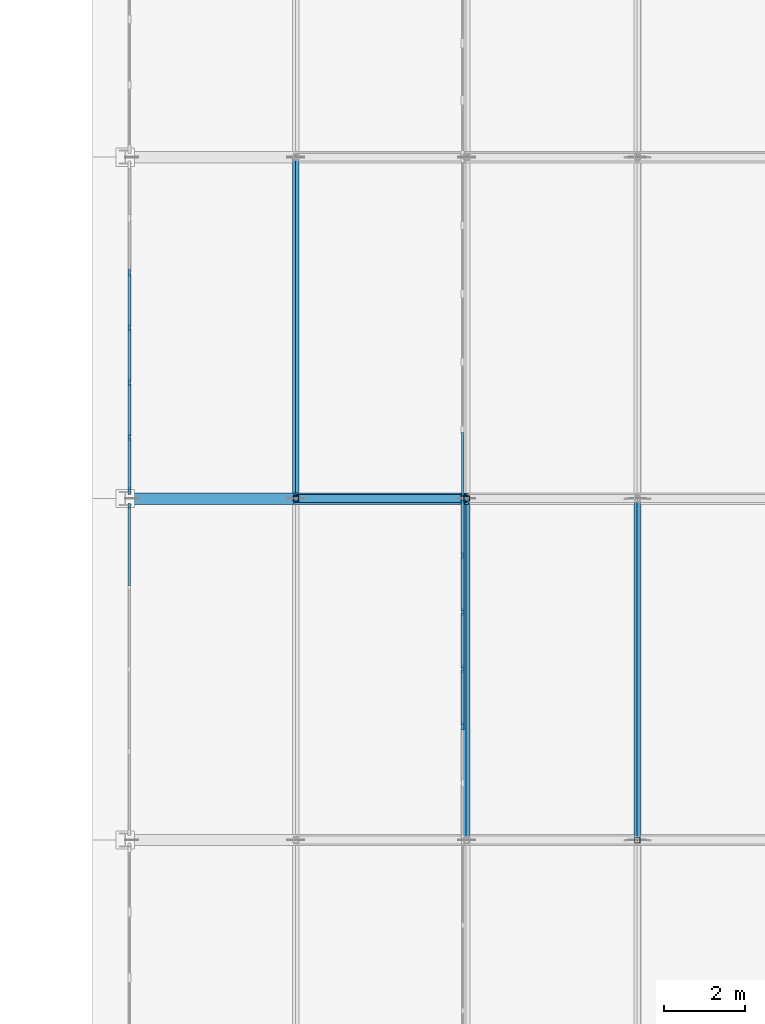
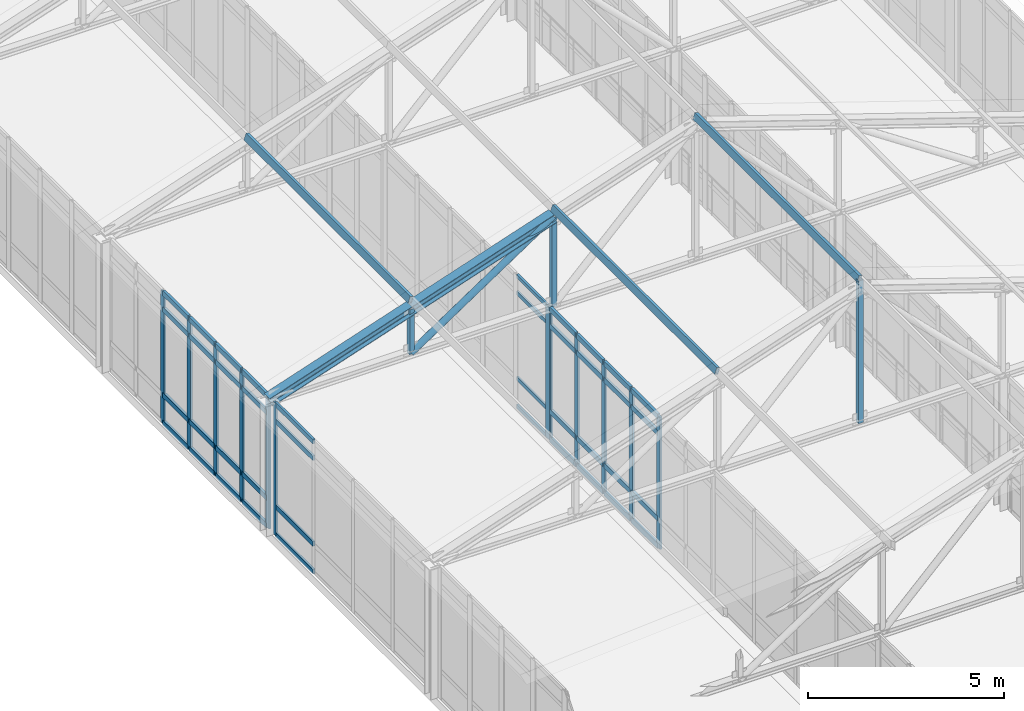
# One storey, part 46 of 192: 61 members, 4 elements without a shape of their own.
"""IFC4 building model written with IfcOpenShell, lengths in metres."""

from ifc_helpers import new_model, si_unit, direction, frame, origin, origin_2d, place, context, subcontext, project, spatial, rectangle, hollow_rectangle, hollow_circle, i_section, extrude, material, layer, layer_set, material_profile, profile_set, type_object, element, aggregate, save


model = new_model("IFC4")

# Units and contexts
model_context = context("Model", 3, precision=1e-05, world=origin(), true_north=direction((0.0, 1.0)))
body_context = subcontext(model_context, "Body", "Model", "MODEL_VIEW")
ifc_project = project(units=[si_unit("LENGTHUNIT", "METRE"), si_unit("AREAUNIT", "SQUARE_METRE"), si_unit("VOLUMEUNIT", "CUBIC_METRE"), si_unit("PLANEANGLEUNIT", "RADIAN"), si_unit("MASSUNIT", "GRAM", prefix="KILO")], contexts=[model_context])

# Site, building, storey
site_placement = place(None, origin())
site = spatial("IfcSite", under=ifc_project, at=site_placement, CompositionType="ELEMENT")
building_placement = place(site_placement, origin())
building = spatial("IfcBuilding", under=site, at=building_placement, Name="Kveldsbrygga Polytechnic", CompositionType="ELEMENT")
storey_placement = place(building_placement, frame((0.0, 0.0, 5.43994140625)))
storey = spatial("IfcBuildingStorey", under=building, at=storey_placement, Name="L01", CompositionType="ELEMENT", Elevation=5.43994140625)

# Curtain wall, member
ifc_material_1 = material(Name="Anodised aluminium AW-6060", Category="aluminium")
ifc_layer_1 = layer(ifc_material_1, 0.199951171875)
ifc_layer_set_1 = layer_set([ifc_layer_1], Name="Anodised aluminium AW-6060")
curtain_wall_type_1 = type_object("IfcCurtainWallType", Name="CW-LANC-E", PredefinedType="USERDEFINED", material=ifc_layer_set_1)
curtain_wall_1_placement = place(storey_placement, origin())
curtain_wall_1 = element("IfcCurtainWall", 1, at=curtain_wall_1_placement, inside=storey, type_object=curtain_wall_type_1, Name="Curtain Wall CW-L01-Y-06-04", ObjectType="UNITISED CURTAIN WALL", PredefinedType="USERDEFINED")
ifc_material_profile_1 = material_profile(ifc_material_1, rectangle(XDim=0.06005859375, YDim=0.139892578125, at=origin_2d()), Name="ALU 60x140")
ifc_profile_set_1 = profile_set([ifc_material_profile_1], Name="Anodised aluminium AW-6060")
member_type_1 = type_object("IfcMemberType", Name="CW-MUL-140", PredefinedType="MULLION", material=ifc_profile_set_1)
member_1_placement = place(storey_placement, frame((50.5, 41.81494140625, 0.0), z_axis=(0.0, 0.0, 1.0), x_axis=(-1.0, 0.0, 0.0)))
member_1 = element("IfcMember", 2, at=member_1_placement, type_object=member_type_1, Name="CW-05 mullion 5", PredefinedType="MULLION", context=body_context, shape_type="SweptSolid", body=[
    extrude(rectangle(XDim=0.06005859375, YDim=0.139892578125, at=origin_2d()), origin(), (0.0, 0.0, 1.0), 4.1201171875),
])

# Curtain wall, members
ifc_layer_2 = layer(ifc_material_1, 0.169921875)
ifc_layer_set_2 = layer_set([ifc_layer_2], Name="Anodised aluminium AW-6060")
curtain_wall_type_2 = type_object("IfcCurtainWallType", Name="CW-FOYR-F", PredefinedType="USERDEFINED", material=ifc_layer_set_2)
curtain_wall_2_placement = place(storey_placement, origin())
curtain_wall_2 = element("IfcCurtainWall", 3, at=curtain_wall_2_placement, inside=storey, type_object=curtain_wall_type_2, Name="Curtain Wall CW-L01-Y-07-04", ObjectType="STICK CURTAIN WALL", PredefinedType="USERDEFINED")
ifc_material_profile_2 = material_profile(ifc_material_1, rectangle(XDim=0.06005859375, YDim=0.179931640625, at=origin_2d()), Name="ALU 60x180")
ifc_profile_set_2 = profile_set([ifc_material_profile_2], Name="Anodised aluminium AW-6060")
member_type_2 = type_object("IfcMemberType", Name="CW-MUL-180", PredefinedType="MULLION", material=ifc_profile_set_2)
member_2_placement = place(storey_placement, frame((58.699951171875, 36.39990234375, 0.0), z_axis=(0.0, 0.0, 1.0), x_axis=(-1.0, 0.0, 0.0)))
member_2 = element("IfcMember", 4, at=member_2_placement, type_object=member_type_2, Name="CW-06 mullion 3", PredefinedType="MULLION", context=body_context, shape_type="SweptSolid", body=[
    extrude(rectangle(XDim=0.06005859375, YDim=0.179931640625, at=origin_2d()), origin(), (0.0, 0.0, 1.0), 4.1201171875),
])
member_3_placement = place(storey_placement, frame((58.699951171875, 37.800048828125, 0.0), z_axis=(0.0, 0.0, 1.0), x_axis=(-1.0, 0.0, 0.0)))
member_3 = element("IfcMember", 5, at=member_3_placement, type_object=member_type_2, Name="CW-06 mullion 4", PredefinedType="MULLION", context=body_context, shape_type="SweptSolid", body=[
    extrude(rectangle(XDim=0.06005859375, YDim=0.179931640625, at=origin_2d()), origin(), (0.0, 0.0, 1.0), 4.1201171875),
])
member_4_placement = place(storey_placement, frame((58.699951171875, 39.199951171875, 0.0), z_axis=(0.0, 0.0, 1.0), x_axis=(-1.0, 0.0, 0.0)))
member_4 = element("IfcMember", 6, at=member_4_placement, type_object=member_type_2, Name="CW-06 mullion 5", PredefinedType="MULLION", context=body_context, shape_type="SweptSolid", body=[
    extrude(rectangle(XDim=0.06005859375, YDim=0.179931640625, at=origin_2d()), origin(), (0.0, 0.0, 1.0), 4.1201171875),
])
member_5_placement = place(storey_placement, frame((58.699951171875, 40.60009765625, 0.0), z_axis=(0.0, 0.0, 1.0), x_axis=(-1.0, 0.0, 0.0)))
member_5 = element("IfcMember", 7, at=member_5_placement, type_object=member_type_2, Name="CW-06 mullion 6", PredefinedType="MULLION", context=body_context, shape_type="SweptSolid", body=[
    extrude(rectangle(XDim=0.06005859375, YDim=0.179931640625, at=origin_2d()), origin(), (0.0, 0.0, 1.0), 4.1201171875),
])
member_6_placement = place(storey_placement, frame((58.699951171875, 41.969970703125, 0.0), z_axis=(0.0, 0.0, 1.0), x_axis=(-1.0, 0.0, 0.0)))
member_6 = element("IfcMember", 8, at=member_6_placement, type_object=member_type_2, Name="CW-06 mullion 7", PredefinedType="MULLION", context=body_context, shape_type="SweptSolid", body=[
    extrude(rectangle(XDim=0.06005859375, YDim=0.179931640625, at=origin_2d()), origin(), (0.0, 0.0, 1.0), 4.1201171875),
])

curtain_wall_3_placement = place(storey_placement, origin())
curtain_wall_3 = element("IfcCurtainWall", 9, at=curtain_wall_3_placement, inside=storey, type_object=curtain_wall_type_2, Name="Curtain Wall CW-L01-Y-06-05", ObjectType="STICK CURTAIN WALL", PredefinedType="USERDEFINED")
member_7_placement = place(storey_placement, frame((50.5, 42.18505859375, 0.0), z_axis=(0.0, 0.0, 1.0), x_axis=(-1.0, 0.0, 0.0)))
member_7 = element("IfcMember", 10, at=member_7_placement, type_object=member_type_2, Name="CW-06 mullion 1", PredefinedType="MULLION", context=body_context, shape_type="SweptSolid", body=[
    extrude(rectangle(XDim=0.06005859375, YDim=0.179931640625, at=origin_2d()), origin(), (0.0, 0.0, 1.0), 4.1201171875),
])
member_8_placement = place(storey_placement, frame((50.5, 43.50341796875, 0.0), z_axis=(0.0, 0.0, 1.0), x_axis=(-1.0, 0.0, 0.0)))
member_8 = element("IfcMember", 11, at=member_8_placement, type_object=member_type_2, Name="CW-06 mullion 2", PredefinedType="MULLION", context=body_context, shape_type="SweptSolid", body=[
    extrude(rectangle(XDim=0.06005859375, YDim=0.179931640625, at=origin_2d()), origin(), (0.0, 0.0, 1.0), 4.1201171875),
])
member_9_placement = place(storey_placement, frame((50.5, 44.8515625, 0.0), z_axis=(0.0, 0.0, 1.0), x_axis=(-1.0, 0.0, 0.0)))
member_9 = element("IfcMember", 12, at=member_9_placement, type_object=member_type_2, Name="CW-06 mullion 3", PredefinedType="MULLION", context=body_context, shape_type="SweptSolid", body=[
    extrude(rectangle(XDim=0.06005859375, YDim=0.179931640625, at=origin_2d()), origin(), (0.0, 0.0, 1.0), 4.1201171875),
])
member_10_placement = place(storey_placement, frame((50.5, 46.199951171875, 0.0), z_axis=(0.0, 0.0, 1.0), x_axis=(-1.0, 0.0, 0.0)))
member_10 = element("IfcMember", 13, at=member_10_placement, type_object=member_type_2, Name="CW-06 mullion 4", PredefinedType="MULLION", context=body_context, shape_type="SweptSolid", body=[
    extrude(rectangle(XDim=0.06005859375, YDim=0.179931640625, at=origin_2d()), origin(), (0.0, 0.0, 1.0), 4.1201171875),
])
member_11_placement = place(storey_placement, frame((50.5, 47.54833984375, 0.0), z_axis=(0.0, 0.0, 1.0), x_axis=(-1.0, 0.0, 0.0)))
member_11 = element("IfcMember", 14, at=member_11_placement, type_object=member_type_2, Name="CW-06 mullion 5", PredefinedType="MULLION", context=body_context, shape_type="SweptSolid", body=[
    extrude(rectangle(XDim=0.06005859375, YDim=0.179931640625, at=origin_2d()), origin(), (0.0, 0.0, 1.0), 4.1201171875),
])

ifc_layer_3 = layer(ifc_material_1, 0.18994140625)
ifc_layer_set_3 = layer_set([ifc_layer_3], Name="Anodised aluminium AW-6060")
curtain_wall_type_3 = type_object("IfcCurtainWallType", Name="CW-REFC-G", PredefinedType="USERDEFINED", material=ifc_layer_set_3)
curtain_wall_4_placement = place(storey_placement, origin())
curtain_wall_4 = element("IfcCurtainWall", 15, at=curtain_wall_4_placement, inside=storey, type_object=curtain_wall_type_3, Name="Curtain Wall CW-L01-Y-07-05", ObjectType="UNITISED CURTAIN WALL", PredefinedType="USERDEFINED")
ifc_material_profile_3 = material_profile(ifc_material_1, rectangle(XDim=0.074951171875, YDim=0.199951171875, at=origin_2d()), Name="ALU 75x200")
ifc_profile_set_3 = profile_set([ifc_material_profile_3], Name="Anodised aluminium AW-6060")
member_type_3 = type_object("IfcMemberType", Name="CW-MUL-200", PredefinedType="MULLION", material=ifc_profile_set_3)
member_12_placement = place(storey_placement, frame((58.699951171875, 42.03759765625, 0.0), z_axis=(0.0, 0.0, 1.0), x_axis=(-1.0, 0.0, 0.0)))
member_12 = element("IfcMember", 16, at=member_12_placement, type_object=member_type_3, Name="CW-07 mullion 1", PredefinedType="MULLION", context=body_context, shape_type="SweptSolid", body=[
    extrude(rectangle(XDim=0.074951171875, YDim=0.199951171875, at=origin_2d()), origin(), (0.0, 0.0, 1.0), 4.1201171875),
])
ifc_material_profile_4 = material_profile(ifc_material_1, rectangle(XDim=0.06005859375, YDim=0.1201171875, at=origin_2d()), Name="ALU 60x120")
ifc_profile_set_4 = profile_set([ifc_material_profile_4], Name="Anodised aluminium AW-6060")
member_type_4 = type_object("IfcMemberType", Name="CW-TRN-120", PredefinedType="USERDEFINED", material=ifc_profile_set_4)
member_13_placement = place(storey_placement, frame((58.699951171875, 42.074951171875, 0.030029296875), z_axis=(0.0, 1.0, 0.0), x_axis=(-1.0, 0.0, 0.0)))
member_13 = element("IfcMember", 17, at=member_13_placement, type_object=member_type_4, Name="CW-07 transom 1.1", ObjectType="TRANSOM", PredefinedType="USERDEFINED", context=body_context, shape_type="SweptSolid", body=[
    extrude(rectangle(XDim=0.06005859375, YDim=0.1201171875, at=origin_2d()), origin(), (0.0, 0.0, 1.0), 1.567626953125),
])
member_14_placement = place(storey_placement, frame((58.699951171875, 42.074951171875, 0.900146484375), z_axis=(0.0, 1.0, 0.0), x_axis=(-1.0, 0.0, 0.0)))
member_14 = element("IfcMember", 18, at=member_14_placement, type_object=member_type_4, Name="CW-07 transom 1.2", ObjectType="TRANSOM", PredefinedType="USERDEFINED", context=body_context, shape_type="SweptSolid", body=[
    extrude(rectangle(XDim=0.06005859375, YDim=0.1201171875, at=origin_2d()), origin(), (0.0, 0.0, 1.0), 1.567626953125),
])
member_15_placement = place(storey_placement, frame((58.699951171875, 42.074951171875, 3.570068359375), z_axis=(0.0, 1.0, 0.0), x_axis=(-1.0, 0.0, 0.0)))
member_15 = element("IfcMember", 19, at=member_15_placement, type_object=member_type_4, Name="CW-07 transom 1.3", ObjectType="TRANSOM", PredefinedType="USERDEFINED", context=body_context, shape_type="SweptSolid", body=[
    extrude(rectangle(XDim=0.06005859375, YDim=0.1201171875, at=origin_2d()), origin(), (0.0, 0.0, 1.0), 1.567626953125),
])
member_16_placement = place(storey_placement, frame((58.699951171875, 42.074951171875, 4.090087890625), z_axis=(0.0, 1.0, 0.0), x_axis=(-1.0, 0.0, 0.0)))
member_16 = element("IfcMember", 20, at=member_16_placement, type_object=member_type_4, Name="CW-07 transom 1.4", ObjectType="TRANSOM", PredefinedType="USERDEFINED", context=body_context, shape_type="SweptSolid", body=[
    extrude(rectangle(XDim=0.06005859375, YDim=0.1201171875, at=origin_2d()), origin(), (0.0, 0.0, 1.0), 1.567626953125),
])
aggregate(curtain_wall_4, [member_12, member_13, member_14, member_15, member_16])

# Member
ifc_material_profile_5 = material_profile(ifc_material_1, rectangle(XDim=0.06005859375, YDim=0.14990234375, at=origin_2d()), Name="ALU 60x150")
ifc_profile_set_5 = profile_set([ifc_material_profile_5], Name="Anodised aluminium AW-6060")
member_type_5 = type_object("IfcMemberType", Name="CW-TRN-150", PredefinedType="USERDEFINED", material=ifc_profile_set_5)
member_17_placement = place(storey_placement, frame((50.5, 39.8525390625, 0.030029296875), z_axis=(0.0, 1.0, 0.0), x_axis=(-1.0, 0.0, 0.0)))
member_17 = element("IfcMember", 21, at=member_17_placement, type_object=member_type_5, Name="CW-05 transom 4.1", ObjectType="TRANSOM", PredefinedType="USERDEFINED", context=body_context, shape_type="SweptSolid", body=[
    extrude(rectangle(XDim=0.06005859375, YDim=0.14990234375, at=origin_2d()), origin(), (0.0, 0.0, 1.0), 1.932373046875),
])

member_18_placement = place(storey_placement, frame((50.5, 39.8525390625, 0.900146484375), z_axis=(0.0, 1.0, 0.0), x_axis=(-1.0, 0.0, 0.0)))
member_18 = element("IfcMember", 22, at=member_18_placement, type_object=member_type_5, Name="CW-05 transom 4.2", ObjectType="TRANSOM", PredefinedType="USERDEFINED", context=body_context, shape_type="SweptSolid", body=[
    extrude(rectangle(XDim=0.06005859375, YDim=0.14990234375, at=origin_2d()), origin(), (0.0, 0.0, 1.0), 1.932373046875),
])

member_19_placement = place(storey_placement, frame((50.5, 39.8525390625, 3.570068359375), z_axis=(0.0, 1.0, 0.0), x_axis=(-1.0, 0.0, 0.0)))
member_19 = element("IfcMember", 23, at=member_19_placement, type_object=member_type_5, Name="CW-05 transom 4.3", ObjectType="TRANSOM", PredefinedType="USERDEFINED", context=body_context, shape_type="SweptSolid", body=[
    extrude(rectangle(XDim=0.06005859375, YDim=0.14990234375, at=origin_2d()), origin(), (0.0, 0.0, 1.0), 1.932373046875),
])

member_20_placement = place(storey_placement, frame((50.5, 39.8525390625, 4.090087890625), z_axis=(0.0, 1.0, 0.0), x_axis=(-1.0, 0.0, 0.0)))
member_20 = element("IfcMember", 24, at=member_20_placement, type_object=member_type_5, Name="CW-05 transom 4.4", ObjectType="TRANSOM", PredefinedType="USERDEFINED", context=body_context, shape_type="SweptSolid", body=[
    extrude(rectangle(XDim=0.06005859375, YDim=0.14990234375, at=origin_2d()), origin(), (0.0, 0.0, 1.0), 1.932373046875),
])

aggregate(curtain_wall_1, [member_1, member_17, member_18, member_19, member_20])

ifc_material_profile_6 = material_profile(ifc_material_1, rectangle(XDim=0.074951171875, YDim=0.159912109375, at=origin_2d()), Name="ALU 75x160")
ifc_profile_set_6 = profile_set([ifc_material_profile_6], Name="Anodised aluminium AW-6060")
member_type_6 = type_object("IfcMemberType", Name="CW-TRN-160", PredefinedType="USERDEFINED", material=ifc_profile_set_6)
member_21_placement = place(storey_placement, frame((58.699951171875, 36.429931640625, 0.03759765625), z_axis=(0.0, 1.0, 0.0), x_axis=(-1.0, 0.0, 0.0)))
member_21 = element("IfcMember", 25, at=member_21_placement, type_object=member_type_6, Name="CW-06 transom 3.1", ObjectType="TRANSOM", PredefinedType="USERDEFINED", context=body_context, shape_type="SweptSolid", body=[
    extrude(rectangle(XDim=0.074951171875, YDim=0.159912109375, at=origin_2d()), origin(), (0.0, 0.0, 1.0), 1.340087890625),
])

member_22_placement = place(storey_placement, frame((58.699951171875, 36.429931640625, 0.900146484375), z_axis=(0.0, 1.0, 0.0), x_axis=(-1.0, 0.0, 0.0)))
member_22 = element("IfcMember", 26, at=member_22_placement, type_object=member_type_6, Name="CW-06 transom 3.2", ObjectType="TRANSOM", PredefinedType="USERDEFINED", context=body_context, shape_type="SweptSolid", body=[
    extrude(rectangle(XDim=0.074951171875, YDim=0.159912109375, at=origin_2d()), origin(), (0.0, 0.0, 1.0), 1.340087890625),
])

member_23_placement = place(storey_placement, frame((58.699951171875, 36.429931640625, 3.570068359375), z_axis=(0.0, 1.0, 0.0), x_axis=(-1.0, 0.0, 0.0)))
member_23 = element("IfcMember", 27, at=member_23_placement, type_object=member_type_6, Name="CW-06 transom 3.3", ObjectType="TRANSOM", PredefinedType="USERDEFINED", context=body_context, shape_type="SweptSolid", body=[
    extrude(rectangle(XDim=0.074951171875, YDim=0.159912109375, at=origin_2d()), origin(), (0.0, 0.0, 1.0), 1.340087890625),
])

member_24_placement = place(storey_placement, frame((58.699951171875, 36.429931640625, 4.08251953125), z_axis=(0.0, 1.0, 0.0), x_axis=(-1.0, 0.0, 0.0)))
member_24 = element("IfcMember", 28, at=member_24_placement, type_object=member_type_6, Name="CW-06 transom 3.4", ObjectType="TRANSOM", PredefinedType="USERDEFINED", context=body_context, shape_type="SweptSolid", body=[
    extrude(rectangle(XDim=0.074951171875, YDim=0.159912109375, at=origin_2d()), origin(), (0.0, 0.0, 1.0), 1.340087890625),
])

member_25_placement = place(storey_placement, frame((58.699951171875, 37.830078125, 0.03759765625), z_axis=(0.0, 1.0, 0.0), x_axis=(-1.0, 0.0, 0.0)))
member_25 = element("IfcMember", 29, at=member_25_placement, type_object=member_type_6, Name="CW-06 transom 4.1", ObjectType="TRANSOM", PredefinedType="USERDEFINED", context=body_context, shape_type="SweptSolid", body=[
    extrude(rectangle(XDim=0.074951171875, YDim=0.159912109375, at=origin_2d()), origin(), (0.0, 0.0, 1.0), 1.33984375),
])

member_26_placement = place(storey_placement, frame((58.699951171875, 37.830078125, 0.900146484375), z_axis=(0.0, 1.0, 0.0), x_axis=(-1.0, 0.0, 0.0)))
member_26 = element("IfcMember", 30, at=member_26_placement, type_object=member_type_6, Name="CW-06 transom 4.2", ObjectType="TRANSOM", PredefinedType="USERDEFINED", context=body_context, shape_type="SweptSolid", body=[
    extrude(rectangle(XDim=0.074951171875, YDim=0.159912109375, at=origin_2d()), origin(), (0.0, 0.0, 1.0), 1.33984375),
])

member_27_placement = place(storey_placement, frame((58.699951171875, 37.830078125, 3.570068359375), z_axis=(0.0, 1.0, 0.0), x_axis=(-1.0, 0.0, 0.0)))
member_27 = element("IfcMember", 31, at=member_27_placement, type_object=member_type_6, Name="CW-06 transom 4.3", ObjectType="TRANSOM", PredefinedType="USERDEFINED", context=body_context, shape_type="SweptSolid", body=[
    extrude(rectangle(XDim=0.074951171875, YDim=0.159912109375, at=origin_2d()), origin(), (0.0, 0.0, 1.0), 1.33984375),
])

member_28_placement = place(storey_placement, frame((58.699951171875, 37.830078125, 4.08251953125), z_axis=(0.0, 1.0, 0.0), x_axis=(-1.0, 0.0, 0.0)))
member_28 = element("IfcMember", 32, at=member_28_placement, type_object=member_type_6, Name="CW-06 transom 4.4", ObjectType="TRANSOM", PredefinedType="USERDEFINED", context=body_context, shape_type="SweptSolid", body=[
    extrude(rectangle(XDim=0.074951171875, YDim=0.159912109375, at=origin_2d()), origin(), (0.0, 0.0, 1.0), 1.33984375),
])

member_29_placement = place(storey_placement, frame((58.699951171875, 39.22998046875, 0.03759765625), z_axis=(0.0, 1.0, 0.0), x_axis=(-1.0, 0.0, 0.0)))
member_29 = element("IfcMember", 33, at=member_29_placement, type_object=member_type_6, Name="CW-06 transom 5.1", ObjectType="TRANSOM", PredefinedType="USERDEFINED", context=body_context, shape_type="SweptSolid", body=[
    extrude(rectangle(XDim=0.074951171875, YDim=0.159912109375, at=origin_2d()), origin(), (0.0, 0.0, 1.0), 1.340087890625),
])

member_30_placement = place(storey_placement, frame((58.699951171875, 39.22998046875, 0.900146484375), z_axis=(0.0, 1.0, 0.0), x_axis=(-1.0, 0.0, 0.0)))
member_30 = element("IfcMember", 34, at=member_30_placement, type_object=member_type_6, Name="CW-06 transom 5.2", ObjectType="TRANSOM", PredefinedType="USERDEFINED", context=body_context, shape_type="SweptSolid", body=[
    extrude(rectangle(XDim=0.074951171875, YDim=0.159912109375, at=origin_2d()), origin(), (0.0, 0.0, 1.0), 1.340087890625),
])

member_31_placement = place(storey_placement, frame((58.699951171875, 39.22998046875, 3.570068359375), z_axis=(0.0, 1.0, 0.0), x_axis=(-1.0, 0.0, 0.0)))
member_31 = element("IfcMember", 35, at=member_31_placement, type_object=member_type_6, Name="CW-06 transom 5.3", ObjectType="TRANSOM", PredefinedType="USERDEFINED", context=body_context, shape_type="SweptSolid", body=[
    extrude(rectangle(XDim=0.074951171875, YDim=0.159912109375, at=origin_2d()), origin(), (0.0, 0.0, 1.0), 1.340087890625),
])

member_32_placement = place(storey_placement, frame((58.699951171875, 39.22998046875, 4.08251953125), z_axis=(0.0, 1.0, 0.0), x_axis=(-1.0, 0.0, 0.0)))
member_32 = element("IfcMember", 36, at=member_32_placement, type_object=member_type_6, Name="CW-06 transom 5.4", ObjectType="TRANSOM", PredefinedType="USERDEFINED", context=body_context, shape_type="SweptSolid", body=[
    extrude(rectangle(XDim=0.074951171875, YDim=0.159912109375, at=origin_2d()), origin(), (0.0, 0.0, 1.0), 1.340087890625),
])

member_33_placement = place(storey_placement, frame((58.699951171875, 40.6298828125, 0.03759765625), z_axis=(0.0, 1.0, 0.0), x_axis=(-1.0, 0.0, 0.0)))
member_33 = element("IfcMember", 37, at=member_33_placement, type_object=member_type_6, Name="CW-06 transom 6.1", ObjectType="TRANSOM", PredefinedType="USERDEFINED", context=body_context, shape_type="SweptSolid", body=[
    extrude(rectangle(XDim=0.074951171875, YDim=0.159912109375, at=origin_2d()), origin(), (0.0, 0.0, 1.0), 1.31005859375),
])

member_34_placement = place(storey_placement, frame((58.699951171875, 40.6298828125, 0.900146484375), z_axis=(0.0, 1.0, 0.0), x_axis=(-1.0, 0.0, 0.0)))
member_34 = element("IfcMember", 38, at=member_34_placement, type_object=member_type_6, Name="CW-06 transom 6.2", ObjectType="TRANSOM", PredefinedType="USERDEFINED", context=body_context, shape_type="SweptSolid", body=[
    extrude(rectangle(XDim=0.074951171875, YDim=0.159912109375, at=origin_2d()), origin(), (0.0, 0.0, 1.0), 1.31005859375),
])

member_35_placement = place(storey_placement, frame((58.699951171875, 40.6298828125, 3.570068359375), z_axis=(0.0, 1.0, 0.0), x_axis=(-1.0, 0.0, 0.0)))
member_35 = element("IfcMember", 39, at=member_35_placement, type_object=member_type_6, Name="CW-06 transom 6.3", ObjectType="TRANSOM", PredefinedType="USERDEFINED", context=body_context, shape_type="SweptSolid", body=[
    extrude(rectangle(XDim=0.074951171875, YDim=0.159912109375, at=origin_2d()), origin(), (0.0, 0.0, 1.0), 1.31005859375),
])

member_36_placement = place(storey_placement, frame((58.699951171875, 40.6298828125, 4.08251953125), z_axis=(0.0, 1.0, 0.0), x_axis=(-1.0, 0.0, 0.0)))
member_36 = element("IfcMember", 40, at=member_36_placement, type_object=member_type_6, Name="CW-06 transom 6.4", ObjectType="TRANSOM", PredefinedType="USERDEFINED", context=body_context, shape_type="SweptSolid", body=[
    extrude(rectangle(XDim=0.074951171875, YDim=0.159912109375, at=origin_2d()), origin(), (0.0, 0.0, 1.0), 1.31005859375),
])

aggregate(curtain_wall_2, [member_2, member_3, member_4, member_5, member_6, member_21, member_22, member_23, member_24, member_25, member_26, member_27, member_28, member_29, member_30, member_31, member_32, member_33, member_34, member_35, member_36])

member_37_placement = place(storey_placement, frame((50.5, 42.215087890625, 0.03759765625), z_axis=(0.0, 1.0, 0.0), x_axis=(-1.0, 0.0, 0.0)))
member_37 = element("IfcMember", 41, at=member_37_placement, type_object=member_type_6, Name="CW-06 transom 1.1", ObjectType="TRANSOM", PredefinedType="USERDEFINED", context=body_context, shape_type="SweptSolid", body=[
    extrude(rectangle(XDim=0.074951171875, YDim=0.159912109375, at=origin_2d()), origin(), (0.0, 0.0, 1.0), 1.25830078125),
])

member_38_placement = place(storey_placement, frame((50.5, 42.215087890625, 0.900146484375), z_axis=(0.0, 1.0, 0.0), x_axis=(-1.0, 0.0, 0.0)))
member_38 = element("IfcMember", 42, at=member_38_placement, type_object=member_type_6, Name="CW-06 transom 1.2", ObjectType="TRANSOM", PredefinedType="USERDEFINED", context=body_context, shape_type="SweptSolid", body=[
    extrude(rectangle(XDim=0.074951171875, YDim=0.159912109375, at=origin_2d()), origin(), (0.0, 0.0, 1.0), 1.25830078125),
])

member_39_placement = place(storey_placement, frame((50.5, 42.215087890625, 3.570068359375), z_axis=(0.0, 1.0, 0.0), x_axis=(-1.0, 0.0, 0.0)))
member_39 = element("IfcMember", 43, at=member_39_placement, type_object=member_type_6, Name="CW-06 transom 1.3", ObjectType="TRANSOM", PredefinedType="USERDEFINED", context=body_context, shape_type="SweptSolid", body=[
    extrude(rectangle(XDim=0.074951171875, YDim=0.159912109375, at=origin_2d()), origin(), (0.0, 0.0, 1.0), 1.25830078125),
])

member_40_placement = place(storey_placement, frame((50.5, 42.215087890625, 4.08251953125), z_axis=(0.0, 1.0, 0.0), x_axis=(-1.0, 0.0, 0.0)))
member_40 = element("IfcMember", 44, at=member_40_placement, type_object=member_type_6, Name="CW-06 transom 1.4", ObjectType="TRANSOM", PredefinedType="USERDEFINED", context=body_context, shape_type="SweptSolid", body=[
    extrude(rectangle(XDim=0.074951171875, YDim=0.159912109375, at=origin_2d()), origin(), (0.0, 0.0, 1.0), 1.25830078125),
])

member_41_placement = place(storey_placement, frame((50.5, 43.533447265625, 0.03759765625), z_axis=(0.0, 1.0, 0.0), x_axis=(-1.0, 0.0, 0.0)))
member_41 = element("IfcMember", 45, at=member_41_placement, type_object=member_type_6, Name="CW-06 transom 2.1", ObjectType="TRANSOM", PredefinedType="USERDEFINED", context=body_context, shape_type="SweptSolid", body=[
    extrude(rectangle(XDim=0.074951171875, YDim=0.159912109375, at=origin_2d()), origin(), (0.0, 0.0, 1.0), 1.288330078125),
])

member_42_placement = place(storey_placement, frame((50.5, 43.533447265625, 0.900146484375), z_axis=(0.0, 1.0, 0.0), x_axis=(-1.0, 0.0, 0.0)))
member_42 = element("IfcMember", 46, at=member_42_placement, type_object=member_type_6, Name="CW-06 transom 2.2", ObjectType="TRANSOM", PredefinedType="USERDEFINED", context=body_context, shape_type="SweptSolid", body=[
    extrude(rectangle(XDim=0.074951171875, YDim=0.159912109375, at=origin_2d()), origin(), (0.0, 0.0, 1.0), 1.288330078125),
])

member_43_placement = place(storey_placement, frame((50.5, 43.533447265625, 3.570068359375), z_axis=(0.0, 1.0, 0.0), x_axis=(-1.0, 0.0, 0.0)))
member_43 = element("IfcMember", 47, at=member_43_placement, type_object=member_type_6, Name="CW-06 transom 2.3", ObjectType="TRANSOM", PredefinedType="USERDEFINED", context=body_context, shape_type="SweptSolid", body=[
    extrude(rectangle(XDim=0.074951171875, YDim=0.159912109375, at=origin_2d()), origin(), (0.0, 0.0, 1.0), 1.288330078125),
])

member_44_placement = place(storey_placement, frame((50.5, 43.533447265625, 4.08251953125), z_axis=(0.0, 1.0, 0.0), x_axis=(-1.0, 0.0, 0.0)))
member_44 = element("IfcMember", 48, at=member_44_placement, type_object=member_type_6, Name="CW-06 transom 2.4", ObjectType="TRANSOM", PredefinedType="USERDEFINED", context=body_context, shape_type="SweptSolid", body=[
    extrude(rectangle(XDim=0.074951171875, YDim=0.159912109375, at=origin_2d()), origin(), (0.0, 0.0, 1.0), 1.288330078125),
])

member_45_placement = place(storey_placement, frame((50.5, 44.881591796875, 0.03759765625), z_axis=(0.0, 1.0, 0.0), x_axis=(-1.0, 0.0, 0.0)))
member_45 = element("IfcMember", 49, at=member_45_placement, type_object=member_type_6, Name="CW-06 transom 3.1", ObjectType="TRANSOM", PredefinedType="USERDEFINED", context=body_context, shape_type="SweptSolid", body=[
    extrude(rectangle(XDim=0.074951171875, YDim=0.159912109375, at=origin_2d()), origin(), (0.0, 0.0, 1.0), 1.288330078125),
])

member_46_placement = place(storey_placement, frame((50.5, 44.881591796875, 0.900146484375), z_axis=(0.0, 1.0, 0.0), x_axis=(-1.0, 0.0, 0.0)))
member_46 = element("IfcMember", 50, at=member_46_placement, type_object=member_type_6, Name="CW-06 transom 3.2", ObjectType="TRANSOM", PredefinedType="USERDEFINED", context=body_context, shape_type="SweptSolid", body=[
    extrude(rectangle(XDim=0.074951171875, YDim=0.159912109375, at=origin_2d()), origin(), (0.0, 0.0, 1.0), 1.288330078125),
])

member_47_placement = place(storey_placement, frame((50.5, 44.881591796875, 3.570068359375), z_axis=(0.0, 1.0, 0.0), x_axis=(-1.0, 0.0, 0.0)))
member_47 = element("IfcMember", 51, at=member_47_placement, type_object=member_type_6, Name="CW-06 transom 3.3", ObjectType="TRANSOM", PredefinedType="USERDEFINED", context=body_context, shape_type="SweptSolid", body=[
    extrude(rectangle(XDim=0.074951171875, YDim=0.159912109375, at=origin_2d()), origin(), (0.0, 0.0, 1.0), 1.288330078125),
])

member_48_placement = place(storey_placement, frame((50.5, 44.881591796875, 4.08251953125), z_axis=(0.0, 1.0, 0.0), x_axis=(-1.0, 0.0, 0.0)))
member_48 = element("IfcMember", 52, at=member_48_placement, type_object=member_type_6, Name="CW-06 transom 3.4", ObjectType="TRANSOM", PredefinedType="USERDEFINED", context=body_context, shape_type="SweptSolid", body=[
    extrude(rectangle(XDim=0.074951171875, YDim=0.159912109375, at=origin_2d()), origin(), (0.0, 0.0, 1.0), 1.288330078125),
])

member_49_placement = place(storey_placement, frame((50.5, 46.22998046875, 0.03759765625), z_axis=(0.0, 1.0, 0.0), x_axis=(-1.0, 0.0, 0.0)))
member_49 = element("IfcMember", 53, at=member_49_placement, type_object=member_type_6, Name="CW-06 transom 4.1", ObjectType="TRANSOM", PredefinedType="USERDEFINED", context=body_context, shape_type="SweptSolid", body=[
    extrude(rectangle(XDim=0.074951171875, YDim=0.159912109375, at=origin_2d()), origin(), (0.0, 0.0, 1.0), 1.288330078125),
])

member_50_placement = place(storey_placement, frame((50.5, 46.22998046875, 0.900146484375), z_axis=(0.0, 1.0, 0.0), x_axis=(-1.0, 0.0, 0.0)))
member_50 = element("IfcMember", 54, at=member_50_placement, type_object=member_type_6, Name="CW-06 transom 4.2", ObjectType="TRANSOM", PredefinedType="USERDEFINED", context=body_context, shape_type="SweptSolid", body=[
    extrude(rectangle(XDim=0.074951171875, YDim=0.159912109375, at=origin_2d()), origin(), (0.0, 0.0, 1.0), 1.288330078125),
])

member_51_placement = place(storey_placement, frame((50.5, 46.22998046875, 3.570068359375), z_axis=(0.0, 1.0, 0.0), x_axis=(-1.0, 0.0, 0.0)))
member_51 = element("IfcMember", 55, at=member_51_placement, type_object=member_type_6, Name="CW-06 transom 4.3", ObjectType="TRANSOM", PredefinedType="USERDEFINED", context=body_context, shape_type="SweptSolid", body=[
    extrude(rectangle(XDim=0.074951171875, YDim=0.159912109375, at=origin_2d()), origin(), (0.0, 0.0, 1.0), 1.288330078125),
])

member_52_placement = place(storey_placement, frame((50.5, 46.22998046875, 4.08251953125), z_axis=(0.0, 1.0, 0.0), x_axis=(-1.0, 0.0, 0.0)))
member_52 = element("IfcMember", 56, at=member_52_placement, type_object=member_type_6, Name="CW-06 transom 4.4", ObjectType="TRANSOM", PredefinedType="USERDEFINED", context=body_context, shape_type="SweptSolid", body=[
    extrude(rectangle(XDim=0.074951171875, YDim=0.159912109375, at=origin_2d()), origin(), (0.0, 0.0, 1.0), 1.288330078125),
])

aggregate(curtain_wall_3, [member_7, member_8, member_9, member_10, member_11, member_37, member_38, member_39, member_40, member_41, member_42, member_43, member_44, member_45, member_46, member_47, member_48, member_49, member_50, member_51, member_52])

# Members
ifc_material_2 = material(Name="Steel S355", Category="steel")
ifc_material_profile_7 = material_profile(ifc_material_2, hollow_rectangle(XDim=0.10009765625, YDim=0.199951171875, WallThickness=0.010009765625, at=origin_2d()), Name="RHS 200x100x10.0")
ifc_profile_set_7 = profile_set([ifc_material_profile_7], Name="Steel S355")
member_type_7 = type_object("IfcMemberType", Name="PRL-RHS200", PredefinedType="PURLIN", material=ifc_profile_set_7)
for number, where, z_axis, x_axis, name in (
    (57, (58.800048828125, 33.60009765625, 7.173095703125), (0.0, 1.0, 0.0), (-0.948683567514, 0.0, 0.316226957624), "Roof Purlin V5C-PRL-4-2"),
    (58, (63.0, 33.60009765625, 8.572998046875), (0.0, 1.0, 0.0), (-0.948683567514, 0.0, 0.316226957624), "Roof Purlin V5C-PRL-4-3"),
    (59, (54.60009765625, 42.0, 5.77294921875), (0.0, 1.0, 0.0), (-0.948683567514, 0.0, 0.316226957624), "Roof Purlin V5C-PRL-5-1"),
):
    element("IfcMember", number, at=place(storey_placement, frame(where, z_axis=z_axis, x_axis=x_axis)), inside=storey, type_object=member_type_7, Name=name, PredefinedType="PURLIN", context=body_context, shape_type="SweptSolid", body=[
        extrude(hollow_rectangle(XDim=0.10009765625, YDim=0.199951171875, WallThickness=0.010009765625, at=origin_2d()), origin(), (0.0, 0.0, 1.0), 8.39990234375),
    ])
ifc_material_profile_8 = material_profile(ifc_material_2, hollow_circle(Radius=0.096923828125, WallThickness=0.010009765625, at=origin_2d()), Name="CHS 193.7x10.0")
ifc_profile_set_8 = profile_set([ifc_material_profile_8], Name="Steel S355")
member_type_8 = type_object("IfcMemberType", Name="TR-DIAG-CHS194", PredefinedType="BRACE", material=ifc_profile_set_8)
member_53_placement = place(storey_placement, frame((54.60009765625, 42.0, 4.1201171875), z_axis=(0.832042853317, 0.0, 0.554711357594), x_axis=(0.0, 1.0, 0.0)))
element("IfcMember", 60, at=member_53_placement, inside=storey, type_object=member_type_8, Name="Truss Diagonal V5C-T05-DG-2", PredefinedType="BRACE", context=body_context, shape_type="SweptSolid", body=[
    extrude(hollow_circle(Radius=0.096923828125, WallThickness=0.010009765625, at=origin_2d()), origin(), (0.0, 0.0, 1.0), 5.0478515625),
])
ifc_material_profile_9 = material_profile(ifc_material_2, hollow_rectangle(XDim=0.139892578125, YDim=0.139892578125, WallThickness=0.008056640625, at=origin_2d()), Name="SHS 140x140x8.0")
ifc_profile_set_9 = profile_set([ifc_material_profile_9], Name="Steel S355")
member_type_9 = type_object("IfcMemberType", Name="TR-POST-SHS140", PredefinedType="STRUT", material=ifc_profile_set_9)
member_54_placement = place(storey_placement, frame((63.0, 33.60009765625, 4.1201171875), z_axis=(0.0, 0.0, 1.0), x_axis=(1.0, 0.0, 0.0)))
element("IfcMember", 61, at=member_54_placement, inside=storey, type_object=member_type_9, Name="Truss Vertical V5C-T04-VT-3", PredefinedType="STRUT", context=body_context, shape_type="SweptSolid", body=[
    extrude(hollow_rectangle(XDim=0.139892578125, YDim=0.139892578125, WallThickness=0.008056640625, at=origin_2d()), origin(), (0.0, 0.0, 1.0), 4.452880859375),
])
member_55_placement = place(storey_placement, frame((54.60009765625, 42.0, 4.1201171875), z_axis=(0.0, 0.0, 1.0), x_axis=(1.0, 0.0, 0.0)))
element("IfcMember", 62, at=member_55_placement, inside=storey, type_object=member_type_9, Name="Truss Vertical V5C-T05-VT-1", PredefinedType="STRUT", context=body_context, shape_type="SweptSolid", body=[
    extrude(hollow_rectangle(XDim=0.139892578125, YDim=0.139892578125, WallThickness=0.008056640625, at=origin_2d()), origin(), (0.0, 0.0, 1.0), 1.39990234375),
])
member_56_placement = place(storey_placement, frame((58.800048828125, 42.0, 4.1201171875), z_axis=(0.0, 0.0, 1.0), x_axis=(1.0, 0.0, 0.0)))
element("IfcMember", 63, at=member_56_placement, inside=storey, type_object=member_type_9, Name="Truss Vertical V5C-T05-VT-2", PredefinedType="STRUT", context=body_context, shape_type="SweptSolid", body=[
    extrude(hollow_rectangle(XDim=0.139892578125, YDim=0.139892578125, WallThickness=0.008056640625, at=origin_2d()), origin(), (0.0, 0.0, 1.0), 2.800048828125),
])
ifc_material_profile_10 = material_profile(ifc_material_2, i_section(OverallWidth=0.280029296875, OverallDepth=0.280029296875, WebThickness=0.010498046875, FlangeThickness=0.01806640625, FilletRadius=0.02392578125, at=origin_2d()), Name="HEB 280")
ifc_profile_set_10 = profile_set([ifc_material_profile_10], Name="Steel S355")
member_type_10 = type_object("IfcMemberType", Name="TR-TOP-HEB280", PredefinedType="CHORD", material=ifc_profile_set_10)
for number, where, z_axis, x_axis, name in (
    (64, (50.39990234375, 42.0, 4.1201171875), (0.948694326238, 0.0, 0.316194679531), (0.0, 1.0, 0.0), "Truss Top Chord V5C-T05-TC-1"),
    (65, (54.60009765625, 42.0, 5.52001953125), (0.948672268324, 0.0, 0.316260853272), (0.0, 1.0, 0.0), "Truss Top Chord V5C-T05-TC-2"),
):
    element("IfcMember", number, at=place(storey_placement, frame(where, z_axis=z_axis, x_axis=x_axis)), inside=storey, type_object=member_type_10, Name=name, PredefinedType="CHORD", context=body_context, shape_type="SweptSolid", body=[
        extrude(i_section(OverallWidth=0.280029296875, OverallDepth=0.280029296875, WebThickness=0.010498046875, FlangeThickness=0.01806640625, FilletRadius=0.02392578125, at=origin_2d()), origin(), (0.0, 0.0, 1.0), 4.42724609375),
    ])

save(model, "model.ifc")
